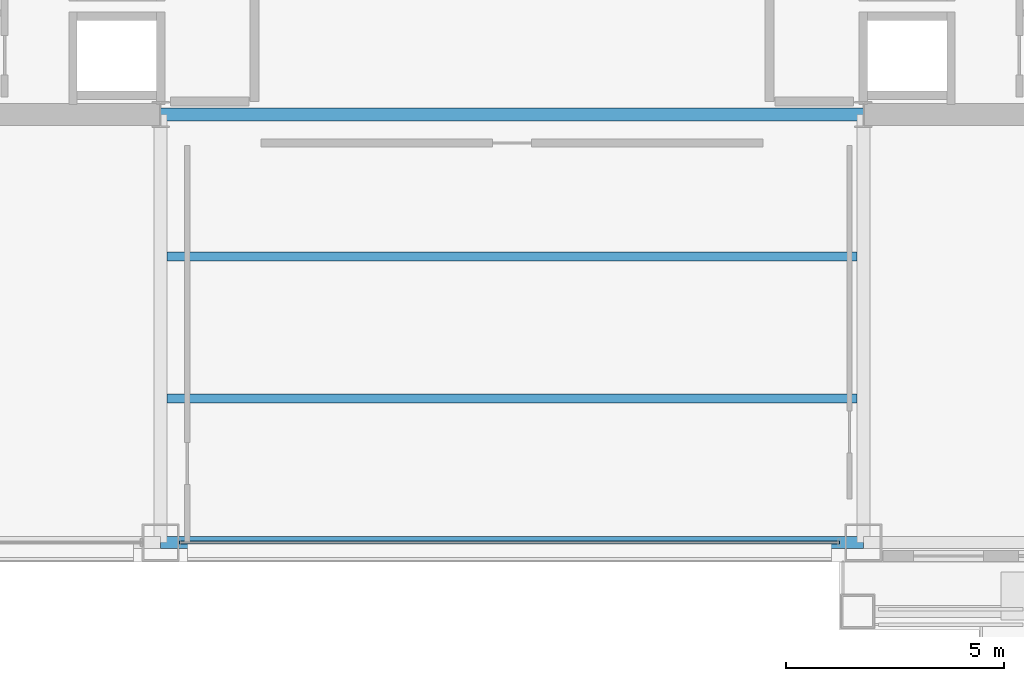
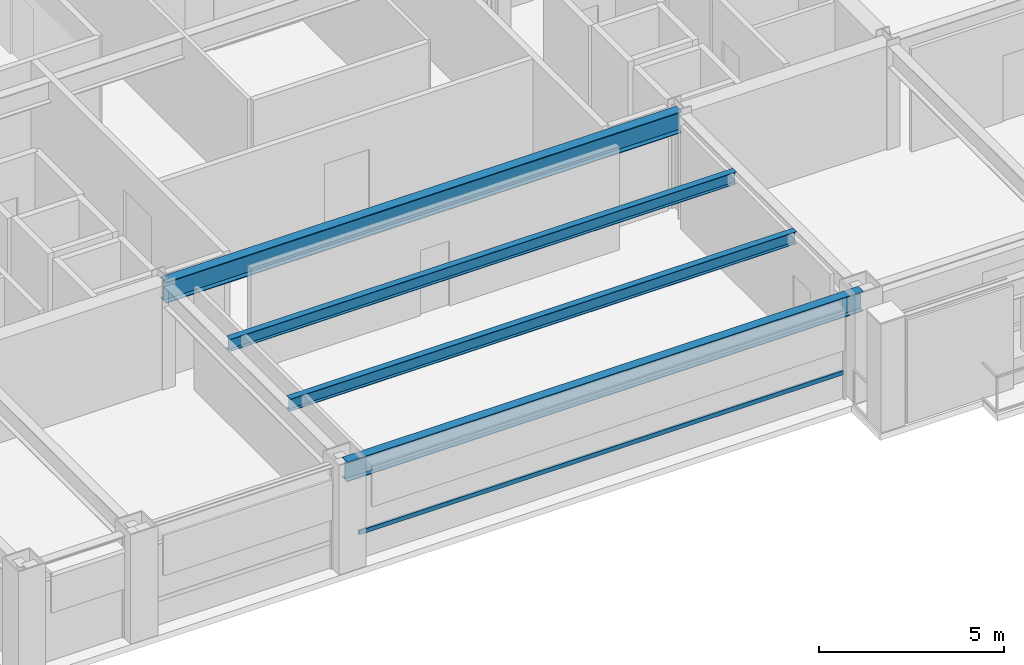
# One storey, part 6 of 29: 4 beams, 1 member, 1 element without a shape of its own.
"""IFC4 building model written with IfcOpenShell, lengths in metres."""

from ifc_helpers import new_model, si_unit, direction, frame, origin, origin_2d, place, context, subcontext, project, spatial, hollow_rectangle, i_section, extrude, material, layer, layer_set, material_profile, profile_set, type_object, element, aggregate, save


model = new_model("IFC4")

# Units and contexts
model_context = context("Model", 3, precision=1e-05, world=origin(), true_north=direction((0.0, 1.0)))
body_context = subcontext(model_context, "Body", "Model", "MODEL_VIEW")
ifc_project = project(units=[si_unit("LENGTHUNIT", "METRE"), si_unit("AREAUNIT", "SQUARE_METRE"), si_unit("VOLUMEUNIT", "CUBIC_METRE"), si_unit("PLANEANGLEUNIT", "RADIAN"), si_unit("MASSUNIT", "GRAM", prefix="KILO")], contexts=[model_context])

# Site, building, storey
site_placement = place(None, origin())
site = spatial("IfcSite", under=ifc_project, at=site_placement, CompositionType="ELEMENT")
building_placement = place(site_placement, origin())
building = spatial("IfcBuilding", under=site, at=building_placement, Name="Brelmoor Portico Tower", CompositionType="ELEMENT")
storey_placement = place(building_placement, frame((0.0, 0.0, 95.39990234375)))
storey = spatial("IfcBuildingStorey", under=building, at=storey_placement, Name="L24", CompositionType="ELEMENT", Elevation=95.39990234375)

# Beams
ifc_material_1 = material(Name="Steel Q355B", Category="steel")
ifc_material_profile_1 = material_profile(ifc_material_1, i_section(OverallWidth=0.199951171875, OverallDepth=0.39990234375, WebThickness=0.008056640625, FlangeThickness=0.012939453125, at=origin_2d()), Name="HN 400x200x8x13")
ifc_profile_set_1 = profile_set([ifc_material_profile_1], Name="Steel Q355B")
beam_type_1 = type_object("IfcBeamType", Name="BM-JS-400", PredefinedType="JOIST", material=ifc_profile_set_1)
for number, where, z_axis, x_axis, name in (
    (1, (-7.89990234375, -16.25, 3.2001953125), (1.0, 0.0, 0.0), (0.0, 1.0, 0.0), "L24 Secondary Composite Joist JS-C01"),
    (2, (-7.89990234375, -13.0, 3.2001953125), (1.0, 0.0, 0.0), (0.0, 1.0, 0.0), "L24 Secondary Composite Joist JS-C02"),
):
    element("IfcBeam", number, at=place(storey_placement, frame(where, z_axis=z_axis, x_axis=x_axis)), inside=storey, type_object=beam_type_1, Name=name, PredefinedType="JOIST", context=body_context, shape_type="SweptSolid", body=[
        extrude(i_section(OverallWidth=0.199951171875, OverallDepth=0.39990234375, WebThickness=0.008056640625, FlangeThickness=0.012939453125, at=origin_2d()), origin(), (0.0, 0.0, 1.0), 15.7998046875),
    ])
ifc_material_profile_2 = material_profile(ifc_material_1, i_section(OverallWidth=0.300048828125, OverallDepth=0.699951171875, WebThickness=0.012939453125, FlangeThickness=0.02392578125, at=origin_2d()), Name="HN 700x300x13x24")
ifc_profile_set_2 = profile_set([ifc_material_profile_2], Name="Steel Q355B")
beam_type_2 = type_object("IfcBeamType", Name="BM-PG-700", PredefinedType="BEAM", material=ifc_profile_set_2)
beam_1_placement = place(storey_placement, frame((-8.050048828125, -9.75, 3.050048828125), z_axis=(1.0, 0.0, 0.0), x_axis=(0.0, 1.0, 0.0)))
element("IfcBeam", 3, at=beam_1_placement, inside=storey, type_object=beam_type_2, Name="L24 Primary Floor Girder PG-16", PredefinedType="BEAM", context=body_context, shape_type="SweptSolid", body=[
    extrude(i_section(OverallWidth=0.300048828125, OverallDepth=0.699951171875, WebThickness=0.012939453125, FlangeThickness=0.02392578125, at=origin_2d()), origin(), (0.0, 0.0, 1.0), 16.10009765625),
])
ifc_material_profile_3 = material_profile(ifc_material_1, i_section(OverallWidth=0.280029296875, OverallDepth=0.64990234375, WebThickness=0.012939453125, FlangeThickness=0.02197265625, at=origin_2d()), Name="HN 650x280x13x22")
ifc_profile_set_3 = profile_set([ifc_material_profile_3], Name="Steel Q355B")
beam_type_3 = type_object("IfcBeamType", Name="BM-SP-650", PredefinedType="SPANDREL", material=ifc_profile_set_3)
beam_2_placement = place(storey_placement, frame((-8.050048828125, -19.550048828125, 3.0751953125), z_axis=(1.0, 0.0, 0.0), x_axis=(0.0, 1.0, 0.0)))
element("IfcBeam", 4, at=beam_2_placement, inside=storey, type_object=beam_type_3, Name="L24 Perimeter Spandrel Beam SP-03", PredefinedType="SPANDREL", context=body_context, shape_type="SweptSolid", body=[
    extrude(i_section(OverallWidth=0.280029296875, OverallDepth=0.64990234375, WebThickness=0.012939453125, FlangeThickness=0.02197265625, at=origin_2d()), origin(), (0.0, 0.0, 1.0), 16.10009765625),
])

# Curtain wall, member
ifc_material_2 = material(Name="Anodised Aluminium Alloy 6063-T6", Category="aluminium")
ifc_layer = layer(ifc_material_2, 0.179931640625)
ifc_layer_set = layer_set([ifc_layer], Name="Anodised Aluminium Alloy 6063-T6")
curtain_wall_type = type_object("IfcCurtainWallType", Name="CW-TOWER-Z2", PredefinedType="NOTDEFINED", material=ifc_layer_set)
curtain_wall_placement = place(storey_placement, origin())
curtain_wall = element("IfcCurtainWall", 5, at=curtain_wall_placement, inside=storey, type_object=curtain_wall_type, Name="L24 Curtain Wall CW-L24-1L-3", PredefinedType="NOTDEFINED")
ifc_material_profile_4 = material_profile(ifc_material_2, hollow_rectangle(XDim=0.06494140625, YDim=0.139892578125, WallThickness=0.00390625, at=origin_2d()), Name="ALU TRANSOM 65x140")
ifc_profile_set_4 = profile_set([ifc_material_profile_4], Name="Anodised Aluminium Alloy 6063-T6")
member_type = type_object("IfcMemberType", Name="MB-CW-TRAN-140", PredefinedType="USERDEFINED", material=ifc_profile_set_4)
member_placement = place(storey_placement, frame((-7.614990234375, -19.550048828125, 0.85009765625), z_axis=(1.0, 0.0, 0.0), x_axis=(0.0, 1.0, 0.0)))
member = element("IfcMember", 6, at=member_placement, type_object=member_type, Name="CW-L24-1L-3 Transom 1-00", ObjectType="TRANSOM", PredefinedType="USERDEFINED", context=body_context, shape_type="SweptSolid", body=[
    extrude(hollow_rectangle(XDim=0.06494140625, YDim=0.139892578125, WallThickness=0.00390625, at=origin_2d()), origin(), (0.0, 0.0, 1.0), 15.114990234375),
])
aggregate(curtain_wall, [member])

save(model, "model.ifc")
